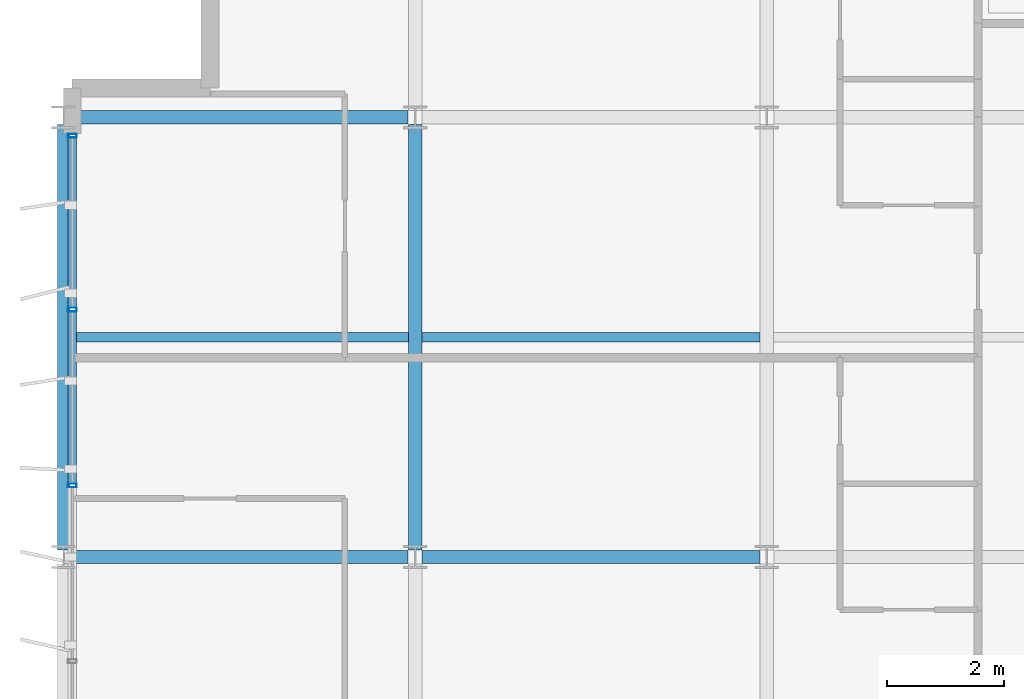
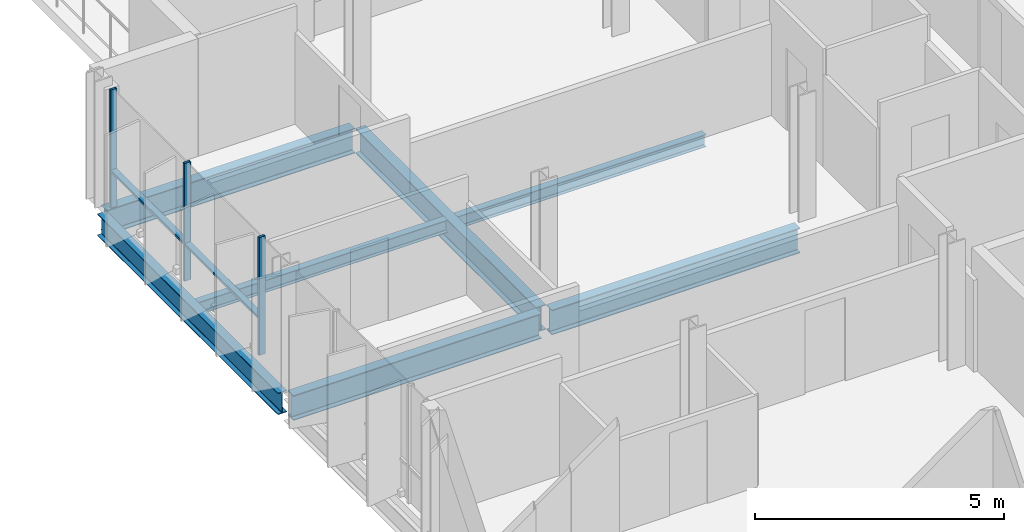
# One storey, part 6 of 38: 7 beams, 5 members, 1 element without a shape of its own.
"""IFC4 building model written with IfcOpenShell, lengths in metres."""

from ifc_helpers import new_model, si_unit, direction, frame, origin, origin_2d, place, context, subcontext, project, spatial, hollow_rectangle, i_section, extrude, material, layer, layer_set, material_profile, profile_set, type_object, element, aggregate, save


model = new_model("IFC4")

# Units and contexts
model_context = context("Model", 3, precision=1e-05, world=origin(), true_north=direction((0.0, 1.0)))
body_context = subcontext(model_context, "Body", "Model", "MODEL_VIEW")
ifc_project = project(units=[si_unit("LENGTHUNIT", "METRE"), si_unit("AREAUNIT", "SQUARE_METRE"), si_unit("VOLUMEUNIT", "CUBIC_METRE"), si_unit("PLANEANGLEUNIT", "RADIAN"), si_unit("MASSUNIT", "GRAM", prefix="KILO")], contexts=[model_context])

# Site, building, storey
site_placement = place(None, origin())
site = spatial("IfcSite", under=ifc_project, at=site_placement, CompositionType="ELEMENT")
building_placement = place(site_placement, origin())
building = spatial("IfcBuilding", under=site, at=building_placement, Name="Brevholm Reach", CompositionType="ELEMENT")
storey_placement = place(building_placement, frame((0.0, 0.0, 172.800048828125)))
storey = spatial("IfcBuildingStorey", under=building, at=storey_placement, Name="L52", CompositionType="ELEMENT", Elevation=172.800048828125)

# Beams
ifc_material_1 = material(Name="Structural Steel S355J2", Category="steel")
ifc_material_profile_1 = material_profile(ifc_material_1, i_section(OverallWidth=0.1650390625, OverallDepth=0.303466796875, WebThickness=0.006103515625, FlangeThickness=0.01025390625, FilletRadius=0.0087890625, at=origin_2d()), Name="UKB 305x165x40")
ifc_profile_set_1 = profile_set([ifc_material_profile_1], Name="Structural Steel S355J2")
beam_type_1 = type_object("IfcBeamType", Name="BM-B305", PredefinedType="BEAM", material=ifc_profile_set_1)
beam_1_placement = place(storey_placement, frame((0.104736328125, 19.75, -0.36181640625), z_axis=(1.0, 0.0, 0.0), x_axis=(0.0, 1.0, 0.0)))
element("IfcBeam", 1, at=beam_1_placement, inside=storey, type_object=beam_type_1, Name="L52 Composite Secondary Floor Beam", PredefinedType="BEAM", context=body_context, shape_type="SweptSolid", body=[
    extrude(i_section(OverallWidth=0.1650390625, OverallDepth=0.303466796875, WebThickness=0.006103515625, FlangeThickness=0.01025390625, FilletRadius=0.0087890625, at=origin_2d()), origin(), (0.0, 0.0, 1.0), 5.78076171875),
])
beam_2_placement = place(storey_placement, frame((6.114501953125, 19.75, -0.36181640625), z_axis=(1.0, 0.0, 0.0), x_axis=(0.0, 1.0, 0.0)))
element("IfcBeam", 2, at=beam_2_placement, inside=storey, type_object=beam_type_1, Name="L52 Composite Secondary Floor Beam", PredefinedType="BEAM", context=body_context, shape_type="SweptSolid", body=[
    extrude(i_section(OverallWidth=0.1650390625, OverallDepth=0.303466796875, WebThickness=0.006103515625, FlangeThickness=0.01025390625, FilletRadius=0.0087890625, at=origin_2d()), origin(), (0.0, 0.0, 1.0), 5.77099609375),
])
ifc_material_2 = material(Name="Structural Steel S355J2", Category="steel")
ifc_material_profile_2 = material_profile(ifc_material_2, i_section(OverallWidth=0.209228515625, OverallDepth=0.533203125, WebThickness=0.010009765625, FlangeThickness=0.015625, FilletRadius=0.0126953125, at=origin_2d()), Name="UKB 533x210x92")
ifc_profile_set_2 = profile_set([ifc_material_profile_2], Name="Structural Steel S355J2")
beam_type_2 = type_object("IfcBeamType", Name="BM-SP533", PredefinedType="SPANDREL", material=ifc_profile_set_2)
beam_3_placement = place(storey_placement, frame((0.0, 16.1201171875, -0.4765625), z_axis=(0.0, 1.0, 0.0), x_axis=(-1.0, 0.0, 0.0)))
element("IfcBeam", 3, at=beam_3_placement, inside=storey, type_object=beam_type_2, Name="L52 SP-02 Framing Beam", PredefinedType="SPANDREL", context=body_context, shape_type="SweptSolid", body=[
    extrude(i_section(OverallWidth=0.209228515625, OverallDepth=0.533203125, WebThickness=0.010009765625, FlangeThickness=0.015625, FilletRadius=0.0126953125, at=origin_2d()), origin(), (0.0, 0.0, 1.0), 7.259765625),
])
ifc_material_3 = material(Name="Structural Steel S355J2", Category="steel")
ifc_material_profile_3 = material_profile(ifc_material_3, i_section(OverallWidth=0.22900390625, OverallDepth=0.6123046875, WebThickness=0.011962890625, FlangeThickness=0.01953125, FilletRadius=0.0126953125, at=origin_2d()), Name="UKB 610x229x125")
ifc_profile_set_3 = profile_set([ifc_material_profile_3], Name="Structural Steel S355J2")
beam_type_3 = type_object("IfcBeamType", Name="BM-SP610", PredefinedType="SPANDREL", material=ifc_profile_set_3)
for number, where, z_axis, x_axis, name in (
    (4, (0.1201171875, 16.0, -0.51611328125), (1.0, 0.0, 0.0), (0.0, 1.0, 0.0), "L52 SP-01 Framing Beam"),
    (5, (6.1201171875, 16.0, -0.51611328125), (1.0, 0.0, 0.0), (0.0, 1.0, 0.0), "L52 SP-01 Framing Beam"),
    (6, (0.1201171875, 23.5, -0.51611328125), (1.0, 0.0, 0.0), (0.0, 1.0, 0.0), "L52 SP-01 Framing Beam"),
):
    element("IfcBeam", number, at=place(storey_placement, frame(where, z_axis=z_axis, x_axis=x_axis)), inside=storey, type_object=beam_type_3, Name=name, PredefinedType="SPANDREL", context=body_context, shape_type="SweptSolid", body=[
        extrude(i_section(OverallWidth=0.22900390625, OverallDepth=0.6123046875, WebThickness=0.011962890625, FlangeThickness=0.01953125, FilletRadius=0.0126953125, at=origin_2d()), origin(), (0.0, 0.0, 1.0), 5.759765625),
    ])
beam_4_placement = place(storey_placement, frame((6.0, 16.1201171875, -0.51611328125), z_axis=(0.0, 1.0, 0.0), x_axis=(-1.0, 0.0, 0.0)))
element("IfcBeam", 7, at=beam_4_placement, inside=storey, type_object=beam_type_3, Name="L52 SP-01 Framing Beam", PredefinedType="SPANDREL", context=body_context, shape_type="SweptSolid", body=[
    extrude(i_section(OverallWidth=0.22900390625, OverallDepth=0.6123046875, WebThickness=0.011962890625, FlangeThickness=0.01953125, FilletRadius=0.0126953125, at=origin_2d()), origin(), (0.0, 0.0, 1.0), 7.259765625),
])

# Curtain wall, members
ifc_material_4 = material(Name="Dark Anodised Aluminium 6063-T6 and Solar-Control Glass", Category="aluminium")
ifc_layer = layer(ifc_material_4, 0.14990234375)
ifc_layer_set = layer_set([ifc_layer], Name="Dark Anodised Aluminium 6063-T6 and Solar-Control Glass")
curtain_wall_type = type_object("IfcCurtainWallType", Name="CW-01", PredefinedType="NOTDEFINED", material=ifc_layer_set)
curtain_wall_placement = place(storey_placement, origin())
curtain_wall = element("IfcCurtainWall", 8, at=curtain_wall_placement, inside=storey, type_object=curtain_wall_type, Name="L52 Curtain Wall CW-01", PredefinedType="NOTDEFINED")
ifc_material_5 = material(Name="Dark Anodised Aluminium 6063-T6", Category="aluminium")
ifc_material_profile_4 = material_profile(ifc_material_5, hollow_rectangle(XDim=0.06494140625, YDim=0.14990234375, WallThickness=0.0048828125, InnerFilletRadius=0.0048828125, OuterFilletRadius=0.010009765625, at=origin_2d()), Name="RHS 150x65x5")
ifc_profile_set_4 = profile_set([ifc_material_profile_4], Name="Dark Anodised Aluminium 6063-T6")
member_type_1 = type_object("IfcMemberType", Name="CWM-150", PredefinedType="MULLION", material=ifc_profile_set_4)
member_1_placement = place(storey_placement, frame((0.14990234375, 23.1875, 0.0), z_axis=(0.0, 0.0, 1.0), x_axis=(0.0, -1.0, 0.0)))
member_1 = element("IfcMember", 9, at=member_1_placement, type_object=member_type_1, Name="CM-150 Mullion 1", PredefinedType="MULLION", context=body_context, shape_type="SweptSolid", body=[
    extrude(hollow_rectangle(XDim=0.06494140625, YDim=0.14990234375, WallThickness=0.0048828125, InnerFilletRadius=0.0048828125, OuterFilletRadius=0.010009765625, at=origin_2d()), origin(), (0.0, 0.0, 1.0), 2.889892578125),
])
member_2_placement = place(storey_placement, frame((0.14990234375, 20.219970703125, 0.0), z_axis=(0.0, 0.0, 1.0), x_axis=(0.0, -1.0, 0.0)))
member_2 = element("IfcMember", 10, at=member_2_placement, type_object=member_type_1, Name="CM-150 Mullion 2", PredefinedType="MULLION", context=body_context, shape_type="SweptSolid", body=[
    extrude(hollow_rectangle(XDim=0.06494140625, YDim=0.14990234375, WallThickness=0.0048828125, InnerFilletRadius=0.0048828125, OuterFilletRadius=0.010009765625, at=origin_2d()), origin(), (0.0, 0.0, 1.0), 2.889892578125),
])
member_3_placement = place(storey_placement, frame((0.14990234375, 17.219970703125, 0.0), z_axis=(0.0, 0.0, 1.0), x_axis=(0.0, -1.0, 0.0)))
member_3 = element("IfcMember", 11, at=member_3_placement, type_object=member_type_1, Name="CM-150 Mullion 3", PredefinedType="MULLION", context=body_context, shape_type="SweptSolid", body=[
    extrude(hollow_rectangle(XDim=0.06494140625, YDim=0.14990234375, WallThickness=0.0048828125, InnerFilletRadius=0.0048828125, OuterFilletRadius=0.010009765625, at=origin_2d()), origin(), (0.0, 0.0, 1.0), 2.889892578125),
])
ifc_material_6 = material(Name="Dark Anodised Aluminium 6063-T6", Category="aluminium")
ifc_material_profile_5 = material_profile(ifc_material_6, hollow_rectangle(XDim=0.06494140625, YDim=0.14990234375, WallThickness=0.0048828125, InnerFilletRadius=0.0048828125, OuterFilletRadius=0.010009765625, at=origin_2d()), Name="RHS 150x65x5")
ifc_profile_set_5 = profile_set([ifc_material_profile_5], Name="Dark Anodised Aluminium 6063-T6")
member_type_2 = type_object("IfcMemberType", Name="CWT-150", PredefinedType="NOTDEFINED", material=ifc_profile_set_5)
member_4_placement = place(storey_placement, frame((0.14990234375, 23.155029296875, 0.89990234375), z_axis=(0.0, -1.0, 0.0), x_axis=(0.0, 0.0, 1.0)))
member_4 = element("IfcMember", 12, at=member_4_placement, type_object=member_type_2, Name="CT-150 Transom 1.1", ObjectType="TRANSOM", PredefinedType="USERDEFINED", context=body_context, shape_type="SweptSolid", body=[
    extrude(hollow_rectangle(XDim=0.06494140625, YDim=0.14990234375, WallThickness=0.0048828125, InnerFilletRadius=0.0048828125, OuterFilletRadius=0.010009765625, at=origin_2d()), origin(), (0.0, 0.0, 1.0), 2.902587890625),
])
member_5_placement = place(storey_placement, frame((0.14990234375, 20.1875, 0.89990234375), z_axis=(0.0, -1.0, 0.0), x_axis=(0.0, 0.0, 1.0)))
member_5 = element("IfcMember", 13, at=member_5_placement, type_object=member_type_2, Name="CT-150 Transom 2.1", ObjectType="TRANSOM", PredefinedType="USERDEFINED", context=body_context, shape_type="SweptSolid", body=[
    extrude(hollow_rectangle(XDim=0.06494140625, YDim=0.14990234375, WallThickness=0.0048828125, InnerFilletRadius=0.0048828125, OuterFilletRadius=0.010009765625, at=origin_2d()), origin(), (0.0, 0.0, 1.0), 2.93505859375),
])
aggregate(curtain_wall, [member_1, member_2, member_3, member_4, member_5])

save(model, "model.ifc")
